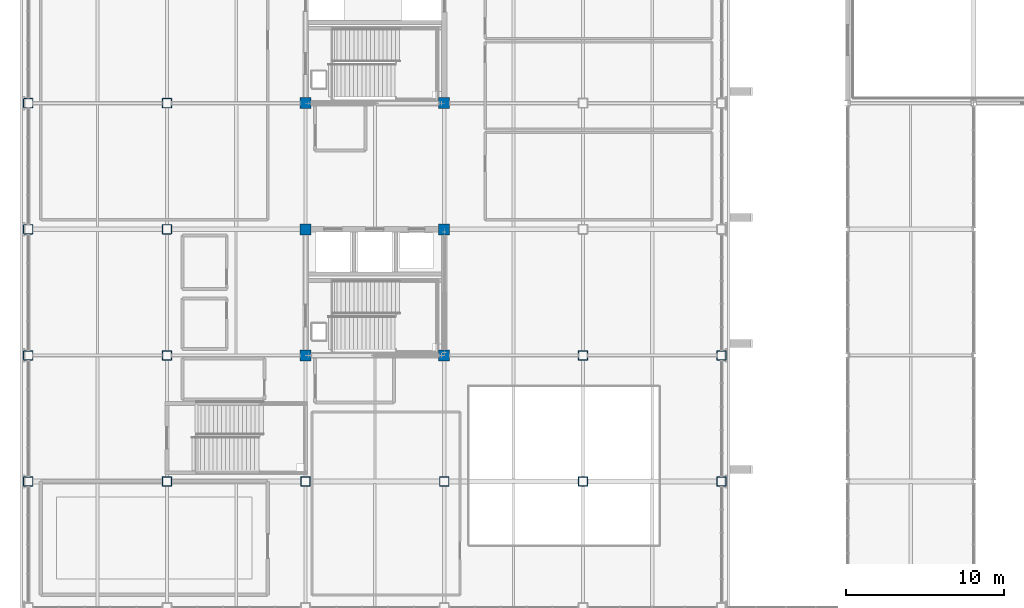
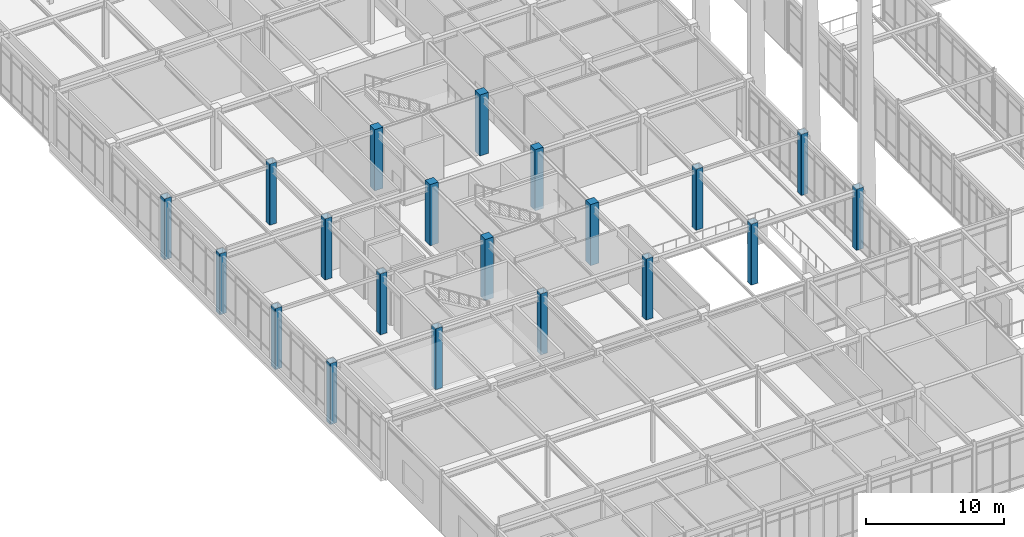
# One storey, part 5 of 184: 20 columns.
"""IFC4 building model written with IfcOpenShell, lengths in metres."""

from ifc_helpers import new_model, si_unit, direction, frame, origin, origin_2d, place, context, subcontext, project, spatial, rectangle, hollow_rectangle, extrude, material, material_profile, profile_set, type_object, element, save


model = new_model("IFC4")

# Units and contexts
model_context = context("Model", 3, precision=1e-05, world=origin(), true_north=direction((0.0, 1.0)))
body_context = subcontext(model_context, "Body", "Model", "MODEL_VIEW")
ifc_project = project(units=[si_unit("LENGTHUNIT", "METRE"), si_unit("AREAUNIT", "SQUARE_METRE"), si_unit("VOLUMEUNIT", "CUBIC_METRE"), si_unit("PLANEANGLEUNIT", "RADIAN"), si_unit("MASSUNIT", "GRAM", prefix="KILO")], contexts=[model_context])

# Site, building, storey
site_placement = place(None, origin())
site = spatial("IfcSite", under=ifc_project, at=site_placement, CompositionType="ELEMENT")
building_placement = place(site_placement, origin())
building = spatial("IfcBuilding", under=site, at=building_placement, Name="Zhaolan Boulevard Law Courts", CompositionType="ELEMENT")
storey_placement = place(building_placement, frame((0.0, 0.0, 5.39990234375)))
storey = spatial("IfcBuildingStorey", under=building, at=storey_placement, Name="L01", CompositionType="ELEMENT", Elevation=5.39990234375)

# Columns
ifc_material_1 = material(Name="Structural steel Q390B", Category="steel")
ifc_material_profile_1 = material_profile(ifc_material_1, hollow_rectangle(XDim=0.60009765625, YDim=0.60009765625, WallThickness=0.02392578125, InnerFilletRadius=0.02392578125, OuterFilletRadius=0.048095703125, at=origin_2d()), Name="BOX600x600x24")
ifc_profile_set_1 = profile_set([ifc_material_profile_1], Name="Structural steel Q390B")
column_type_1 = type_object("IfcColumnType", Name="COL BOX600", PredefinedType="COLUMN", material=ifc_profile_set_1)
for number, where, z_axis, x_axis, name in (
    (1, (0.0, 38.0, 0.0), (0.0, 0.0, 1.0), (1.0, 0.0, 0.0), "Column C-1F (L01)"),
    (2, (0.0, 46.0, 0.0), (0.0, 0.0, 1.0), (1.0, 0.0, 0.0), "Column C-1G (L01)"),
    (3, (0.0, 54.0, 0.0), (0.0, 0.0, 1.0), (1.0, 0.0, 0.0), "Column C-1H (L01)"),
    (4, (0.0, 62.0, 0.0), (0.0, 0.0, 1.0), (1.0, 0.0, 0.0), "Column C-1J (L01)"),
    (5, (8.800048828125, 38.0, 0.0), (0.0, 0.0, 1.0), (1.0, 0.0, 0.0), "Column C-2F (L01)"),
    (6, (8.800048828125, 46.0, 0.0), (0.0, 0.0, 1.0), (1.0, 0.0, 0.0), "Column C-2G (L01)"),
    (7, (8.800048828125, 54.0, 0.0), (0.0, 0.0, 1.0), (1.0, 0.0, 0.0), "Column C-2H (L01)"),
    (8, (8.800048828125, 62.0, 0.0), (0.0, 0.0, 1.0), (1.0, 0.0, 0.0), "Column C-2J (L01)"),
    (9, (17.60009765625, 38.0, 0.0), (0.0, 0.0, 1.0), (1.0, 0.0, 0.0), "Column C-3F (L01)"),
    (10, (26.39990234375, 38.0, 0.0), (0.0, 0.0, 1.0), (1.0, 0.0, 0.0), "Column C-4F (L01)"),
    (11, (35.199951171875, 38.0, 0.0), (0.0, 0.0, 1.0), (1.0, 0.0, 0.0), "Column C-5F (L01)"),
    (12, (35.199951171875, 46.0, 0.0), (0.0, 0.0, 1.0), (1.0, 0.0, 0.0), "Column C-5G (L01)"),
    (13, (44.0, 38.0, 0.0), (0.0, 0.0, 1.0), (1.0, 0.0, 0.0), "Column C-6F (L01)"),
    (14, (44.0, 46.0, 0.0), (0.0, 0.0, 1.0), (1.0, 0.0, 0.0), "Column C-6G (L01)"),
):
    element("IfcColumn", number, at=place(storey_placement, frame(where, z_axis=z_axis, x_axis=x_axis)), inside=storey, type_object=column_type_1, Name=name, PredefinedType="COLUMN", context=body_context, shape_type="SweptSolid", body=[
        extrude(hollow_rectangle(XDim=0.60009765625, YDim=0.60009765625, WallThickness=0.02392578125, InnerFilletRadius=0.02392578125, OuterFilletRadius=0.048095703125, at=origin_2d()), origin(), (0.0, 0.0, 1.0), 5.400146484375),
    ])
ifc_material_2 = material(Name="Concrete C50", Category="concrete")
ifc_material_profile_2 = material_profile(ifc_material_2, rectangle(XDim=0.699951171875, YDim=0.699951171875, at=origin_2d()), Name="RC700x700")
ifc_profile_set_2 = profile_set([ifc_material_profile_2], Name="Concrete C50")
column_type_2 = type_object("IfcColumnType", Name="COL RC700", PredefinedType="COLUMN", material=ifc_profile_set_2)
for number, where, z_axis, x_axis, name in (
    (15, (17.60009765625, 46.0, 0.0), (0.0, 0.0, 1.0), (1.0, 0.0, 0.0), "Column C-3G (L01)"),
    (16, (17.60009765625, 54.0, 0.0), (0.0, 0.0, 1.0), (1.0, 0.0, 0.0), "Column C-3H (L01)"),
    (17, (17.60009765625, 62.0, 0.0), (0.0, 0.0, 1.0), (1.0, 0.0, 0.0), "Column C-3J (L01)"),
    (18, (26.39990234375, 46.0, 0.0), (0.0, 0.0, 1.0), (1.0, 0.0, 0.0), "Column C-4G (L01)"),
    (19, (26.39990234375, 54.0, 0.0), (0.0, 0.0, 1.0), (1.0, 0.0, 0.0), "Column C-4H (L01)"),
    (20, (26.39990234375, 62.0, 0.0), (0.0, 0.0, 1.0), (1.0, 0.0, 0.0), "Column C-4J (L01)"),
):
    element("IfcColumn", number, at=place(storey_placement, frame(where, z_axis=z_axis, x_axis=x_axis)), inside=storey, type_object=column_type_2, Name=name, PredefinedType="COLUMN", context=body_context, shape_type="SweptSolid", body=[
        extrude(rectangle(XDim=0.699951171875, YDim=0.699951171875, at=origin_2d()), origin(), (0.0, 0.0, 1.0), 5.400146484375),
    ])

save(model, "model.ifc")
